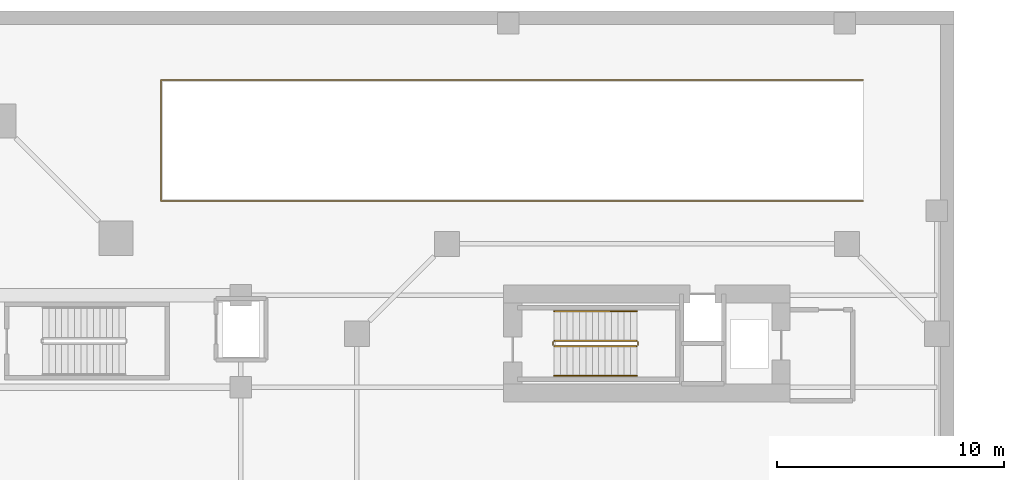
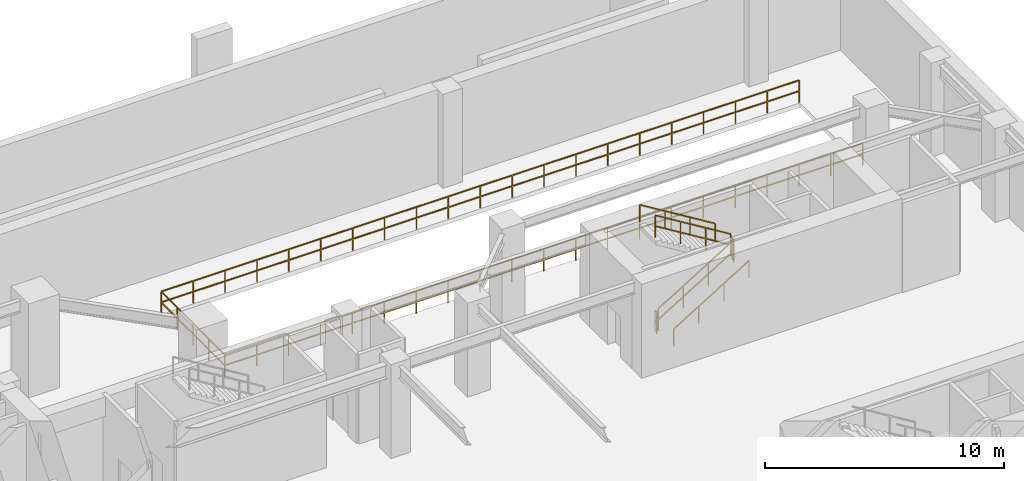
# One storey, part 10 of 10: 7 railings.
"""IFC4 building model written with IfcOpenShell, lengths in metres."""

from ifc_helpers import new_model, si_unit, direction, frame, origin, origin_2d, place, context, subcontext, project, spatial, rectangle, extrude, material, type_object, element, save


model = new_model("IFC4")

# Units and contexts
model_context = context("Model", 3, precision=1e-05, world=origin(), true_north=direction((0.0, 1.0)))
body_context = subcontext(model_context, "Body", "Model", "MODEL_VIEW")
ifc_project = project(units=[si_unit("LENGTHUNIT", "METRE"), si_unit("AREAUNIT", "SQUARE_METRE"), si_unit("VOLUMEUNIT", "CUBIC_METRE"), si_unit("PLANEANGLEUNIT", "RADIAN"), si_unit("MASSUNIT", "GRAM", prefix="KILO"), si_unit("THERMODYNAMICTEMPERATUREUNIT", "KELVIN"), si_unit("POWERUNIT", "WATT")], contexts=[model_context])

# Site, building, storey
site_placement = place(None, origin())
site = spatial("IfcSite", under=ifc_project, at=site_placement, CompositionType="ELEMENT")
building_placement = place(site_placement, origin())
building = spatial("IfcBuilding", under=site, at=building_placement, Name="Qiaomeng Ring Towers", CompositionType="ELEMENT")
storey_placement = place(building_placement, frame((0.0, 0.0, -4.800048828125)))
storey = spatial("IfcBuildingStorey", under=building, at=storey_placement, Name="B1", CompositionType="ELEMENT", Elevation=-4.800048828125)

# Railings
ifc_material_1 = material(Name="Galvanised steel", Category="steel")
railing_type_1 = type_object("IfcRailingType", Name="ARC-RL-GUARD", PredefinedType="GUARDRAIL", material=ifc_material_1)
railing_1_placement = place(storey_placement, frame((56.419921875, 31.25, 0.17138671875)))
element("IfcRailing", 1, at=railing_1_placement, inside=storey, type_object=railing_type_1, Name="B1 ST5 stair guard 1", PredefinedType="GUARDRAIL", context=body_context, shape_type="SweptSolid", body=[
    extrude(rectangle(XDim=0.048095703125, YDim=0.048095703125, at=origin_2d()), frame((0.0, 0.0, 1.1259765625), z_axis=(0.852840387347, 0.0, 0.522171689878), x_axis=(0.0, 1.0, 0.0)), (0.0, 0.0, 1.0), 4.268310546875),
    extrude(rectangle(XDim=0.048095703125, YDim=0.048095703125, at=origin_2d()), frame((0.0, 0.0, 0.574951171875), z_axis=(0.852840387347, 0.0, 0.522171689878), x_axis=(0.0, 1.0, 0.0)), (0.0, 0.0, 1.0), 4.268310546875),
    extrude(rectangle(XDim=0.0419921875, YDim=0.0419921875, at=origin_2d()), origin(), (0.0, 0.0, 1.0), 1.101806640625),
    extrude(rectangle(XDim=0.0419921875, YDim=0.0419921875, at=origin_2d()), frame((1.21337890625, 0.0, 0.742919921875)), (0.0, 0.0, 1.0), 1.101806640625),
    extrude(rectangle(XDim=0.0419921875, YDim=0.0419921875, at=origin_2d()), frame((2.4267578125, 0.0, 1.48583984375)), (0.0, 0.0, 1.0), 1.101806640625),
    extrude(rectangle(XDim=0.0419921875, YDim=0.0419921875, at=origin_2d()), frame((3.64013671875, 0.0, 2.228759765625)), (0.0, 0.0, 1.0), 1.101806640625),
])
railing_2_placement = place(storey_placement, frame((60.110107421875, 31.300048828125, 2.400146484375)))
element("IfcRailing", 2, at=railing_2_placement, inside=storey, type_object=railing_type_1, Name="B1 ST5 stair guard 2", PredefinedType="GUARDRAIL", context=body_context, shape_type="SweptSolid", body=[
    extrude(rectangle(XDim=0.048095703125, YDim=0.048095703125, at=origin_2d()), frame((0.0, 0.0, 1.1259765625), z_axis=(0.0, 1.0, 0.0), x_axis=(-1.0, 0.0, 0.0)), (0.0, 0.0, 1.0), 0.139892578125),
    extrude(rectangle(XDim=0.048095703125, YDim=0.048095703125, at=origin_2d()), frame((0.0, 0.0, 0.574951171875), z_axis=(0.0, 1.0, 0.0), x_axis=(-1.0, 0.0, 0.0)), (0.0, 0.0, 1.0), 0.139892578125),
    extrude(rectangle(XDim=0.0419921875, YDim=0.0419921875, at=origin_2d()), origin(), (0.0, 0.0, 1.0), 1.101806640625),
    extrude(rectangle(XDim=0.0419921875, YDim=0.0419921875, at=origin_2d()), frame((0.0, 0.139892578125, 0.0)), (0.0, 0.0, 1.0), 1.101806640625),
])
railing_3_placement = place(storey_placement, frame((60.06005859375, 31.489990234375, 2.571533203125)))
element("IfcRailing", 3, at=railing_3_placement, inside=storey, type_object=railing_type_1, Name="B1 ST5 stair guard 3", PredefinedType="GUARDRAIL", context=body_context, shape_type="SweptSolid", body=[
    extrude(rectangle(XDim=0.048095703125, YDim=0.048095703125, at=origin_2d()), frame((0.0, 0.0, 1.1259765625), z_axis=(-0.852865859571, 0.0, 0.52213008492), x_axis=(0.0, -1.0, 0.0)), (0.0, 0.0, 1.0), 4.26806640625),
    extrude(rectangle(XDim=0.048095703125, YDim=0.048095703125, at=origin_2d()), frame((0.0, 0.0, 0.574951171875), z_axis=(-0.852865859571, 0.0, 0.52213008492), x_axis=(0.0, -1.0, 0.0)), (0.0, 0.0, 1.0), 4.26806640625),
    extrude(rectangle(XDim=0.0419921875, YDim=0.0419921875, at=origin_2d()), origin(), (0.0, 0.0, 1.0), 1.101806640625),
    extrude(rectangle(XDim=0.0419921875, YDim=0.0419921875, at=origin_2d()), frame((-1.21337890625, 0.0, 0.742919921875)), (0.0, 0.0, 1.0), 1.101806640625),
    extrude(rectangle(XDim=0.0419921875, YDim=0.0419921875, at=origin_2d()), frame((-2.4267578125, 0.0, 1.485595703125)), (0.0, 0.0, 1.0), 1.101806640625),
    extrude(rectangle(XDim=0.0419921875, YDim=0.0419921875, at=origin_2d()), frame((-3.64013671875, 0.0, 2.228515625)), (0.0, 0.0, 1.0), 1.101806640625),
])
railing_4_placement = place(storey_placement, frame((56.3701171875, 31.300048828125, 0.0)))
element("IfcRailing", 4, at=railing_4_placement, inside=storey, type_object=railing_type_1, Name="B1 ST5 stair guard 4", PredefinedType="GUARDRAIL", context=body_context, shape_type="SweptSolid", body=[
    extrude(rectangle(XDim=0.048095703125, YDim=0.048095703125, at=origin_2d()), frame((0.0, 0.0, 1.1259765625), z_axis=(0.0, 1.0, 0.0), x_axis=(-1.0, 0.0, 0.0)), (0.0, 0.0, 1.0), 0.139892578125),
    extrude(rectangle(XDim=0.048095703125, YDim=0.048095703125, at=origin_2d()), frame((0.0, 0.0, 0.574951171875), z_axis=(0.0, 1.0, 0.0), x_axis=(-1.0, 0.0, 0.0)), (0.0, 0.0, 1.0), 0.139892578125),
    extrude(rectangle(XDim=0.0419921875, YDim=0.0419921875, at=origin_2d()), origin(), (0.0, 0.0, 1.0), 1.101806640625),
    extrude(rectangle(XDim=0.0419921875, YDim=0.0419921875, at=origin_2d()), frame((0.0, 0.139892578125, 0.0)), (0.0, 0.0, 1.0), 1.101806640625),
])
railing_5_placement = place(storey_placement, frame((70.0, 37.639892578125, 0.0)))
element("IfcRailing", 5, at=railing_5_placement, inside=storey, type_object=railing_type_1, Name="B1 Vehicle Ramp R2 Well Guard", PredefinedType="GUARDRAIL", context=body_context, shape_type="SweptSolid", body=[
    extrude(rectangle(XDim=0.048095703125, YDim=0.048095703125, at=origin_2d()), frame((0.0, 0.0, 1.1259765625), z_axis=(-1.0, 0.0, 0.0), x_axis=(0.0, -1.0, 0.0)), (0.0, 0.0, 1.0), 30.860107421875),
    extrude(rectangle(XDim=0.048095703125, YDim=0.048095703125, at=origin_2d()), frame((0.0, 0.0, 0.574951171875), z_axis=(-1.0, 0.0, 0.0), x_axis=(0.0, -1.0, 0.0)), (0.0, 0.0, 1.0), 30.860107421875),
    extrude(rectangle(XDim=0.048095703125, YDim=0.048095703125, at=origin_2d()), frame((-30.860107421875, 0.0, 1.1259765625), z_axis=(0.0, 1.0, 0.0), x_axis=(-1.0, 0.0, 0.0)), (0.0, 0.0, 1.0), 5.320068359375),
    extrude(rectangle(XDim=0.048095703125, YDim=0.048095703125, at=origin_2d()), frame((-30.860107421875, 0.0, 0.574951171875), z_axis=(0.0, 1.0, 0.0), x_axis=(-1.0, 0.0, 0.0)), (0.0, 0.0, 1.0), 5.320068359375),
    extrude(rectangle(XDim=0.048095703125, YDim=0.048095703125, at=origin_2d()), frame((-30.860107421875, 5.320068359375, 1.1259765625), z_axis=(1.0, 0.0, 0.0), x_axis=(0.0, 1.0, 0.0)), (0.0, 0.0, 1.0), 30.860107421875),
    extrude(rectangle(XDim=0.048095703125, YDim=0.048095703125, at=origin_2d()), frame((-30.860107421875, 5.320068359375, 0.574951171875), z_axis=(1.0, 0.0, 0.0), x_axis=(0.0, 1.0, 0.0)), (0.0, 0.0, 1.0), 30.860107421875),
    extrude(rectangle(XDim=0.0419921875, YDim=0.0419921875, at=origin_2d()), origin(), (0.0, 0.0, 1.0), 1.101806640625),
    extrude(rectangle(XDim=0.0419921875, YDim=0.0419921875, at=origin_2d()), frame((-1.54296875, 0.0, 0.0)), (0.0, 0.0, 1.0), 1.101806640625),
    extrude(rectangle(XDim=0.0419921875, YDim=0.0419921875, at=origin_2d()), frame((-3.0859375, 0.0, 0.0)), (0.0, 0.0, 1.0), 1.101806640625),
    extrude(rectangle(XDim=0.0419921875, YDim=0.0419921875, at=origin_2d()), frame((-4.62890625, 0.0, 0.0)), (0.0, 0.0, 1.0), 1.101806640625),
    extrude(rectangle(XDim=0.0419921875, YDim=0.0419921875, at=origin_2d()), frame((-6.172119140625, 0.0, 0.0)), (0.0, 0.0, 1.0), 1.101806640625),
    extrude(rectangle(XDim=0.0419921875, YDim=0.0419921875, at=origin_2d()), frame((-7.715087890625, 0.0, 0.0)), (0.0, 0.0, 1.0), 1.101806640625),
    extrude(rectangle(XDim=0.0419921875, YDim=0.0419921875, at=origin_2d()), frame((-9.258056640625, 0.0, 0.0)), (0.0, 0.0, 1.0), 1.101806640625),
    extrude(rectangle(XDim=0.0419921875, YDim=0.0419921875, at=origin_2d()), frame((-10.801025390625, 0.0, 0.0)), (0.0, 0.0, 1.0), 1.101806640625),
    extrude(rectangle(XDim=0.0419921875, YDim=0.0419921875, at=origin_2d()), frame((-12.343994140625, 0.0, 0.0)), (0.0, 0.0, 1.0), 1.101806640625),
    extrude(rectangle(XDim=0.0419921875, YDim=0.0419921875, at=origin_2d()), frame((-13.886962890625, 0.0, 0.0)), (0.0, 0.0, 1.0), 1.101806640625),
    extrude(rectangle(XDim=0.0419921875, YDim=0.0419921875, at=origin_2d()), frame((-15.43017578125, 0.0, 0.0)), (0.0, 0.0, 1.0), 1.101806640625),
    extrude(rectangle(XDim=0.0419921875, YDim=0.0419921875, at=origin_2d()), frame((-16.97314453125, 0.0, 0.0)), (0.0, 0.0, 1.0), 1.101806640625),
    extrude(rectangle(XDim=0.0419921875, YDim=0.0419921875, at=origin_2d()), frame((-18.51611328125, 0.0, 0.0)), (0.0, 0.0, 1.0), 1.101806640625),
    extrude(rectangle(XDim=0.0419921875, YDim=0.0419921875, at=origin_2d()), frame((-20.05908203125, 0.0, 0.0)), (0.0, 0.0, 1.0), 1.101806640625),
    extrude(rectangle(XDim=0.0419921875, YDim=0.0419921875, at=origin_2d()), frame((-21.60205078125, 0.0, 0.0)), (0.0, 0.0, 1.0), 1.101806640625),
    extrude(rectangle(XDim=0.0419921875, YDim=0.0419921875, at=origin_2d()), frame((-23.14501953125, 0.0, 0.0)), (0.0, 0.0, 1.0), 1.101806640625),
    extrude(rectangle(XDim=0.0419921875, YDim=0.0419921875, at=origin_2d()), frame((-24.68798828125, 0.0, 0.0)), (0.0, 0.0, 1.0), 1.101806640625),
    extrude(rectangle(XDim=0.0419921875, YDim=0.0419921875, at=origin_2d()), frame((-26.231201171875, 0.0, 0.0)), (0.0, 0.0, 1.0), 1.101806640625),
    extrude(rectangle(XDim=0.0419921875, YDim=0.0419921875, at=origin_2d()), frame((-27.774169921875, 0.0, 0.0)), (0.0, 0.0, 1.0), 1.101806640625),
    extrude(rectangle(XDim=0.0419921875, YDim=0.0419921875, at=origin_2d()), frame((-29.317138671875, 0.0, 0.0)), (0.0, 0.0, 1.0), 1.101806640625),
    extrude(rectangle(XDim=0.0419921875, YDim=0.0419921875, at=origin_2d()), frame((-30.860107421875, 0.0, 0.0)), (0.0, 0.0, 1.0), 1.101806640625),
    extrude(rectangle(XDim=0.0419921875, YDim=0.0419921875, at=origin_2d()), frame((-30.860107421875, 1.330078125, 0.0)), (0.0, 0.0, 1.0), 1.101806640625),
    extrude(rectangle(XDim=0.0419921875, YDim=0.0419921875, at=origin_2d()), frame((-30.860107421875, 2.66015625, 0.0)), (0.0, 0.0, 1.0), 1.101806640625),
    extrude(rectangle(XDim=0.0419921875, YDim=0.0419921875, at=origin_2d()), frame((-30.860107421875, 3.989990234375, 0.0)), (0.0, 0.0, 1.0), 1.101806640625),
    extrude(rectangle(XDim=0.0419921875, YDim=0.0419921875, at=origin_2d()), frame((-30.860107421875, 5.320068359375, 0.0)), (0.0, 0.0, 1.0), 1.101806640625),
    extrude(rectangle(XDim=0.0419921875, YDim=0.0419921875, at=origin_2d()), frame((-29.317138671875, 5.320068359375, 0.0)), (0.0, 0.0, 1.0), 1.101806640625),
    extrude(rectangle(XDim=0.0419921875, YDim=0.0419921875, at=origin_2d()), frame((-27.774169921875, 5.320068359375, 0.0)), (0.0, 0.0, 1.0), 1.101806640625),
    extrude(rectangle(XDim=0.0419921875, YDim=0.0419921875, at=origin_2d()), frame((-26.231201171875, 5.320068359375, 0.0)), (0.0, 0.0, 1.0), 1.101806640625),
    extrude(rectangle(XDim=0.0419921875, YDim=0.0419921875, at=origin_2d()), frame((-24.68798828125, 5.320068359375, 0.0)), (0.0, 0.0, 1.0), 1.101806640625),
    extrude(rectangle(XDim=0.0419921875, YDim=0.0419921875, at=origin_2d()), frame((-23.14501953125, 5.320068359375, 0.0)), (0.0, 0.0, 1.0), 1.101806640625),
    extrude(rectangle(XDim=0.0419921875, YDim=0.0419921875, at=origin_2d()), frame((-21.60205078125, 5.320068359375, 0.0)), (0.0, 0.0, 1.0), 1.101806640625),
    extrude(rectangle(XDim=0.0419921875, YDim=0.0419921875, at=origin_2d()), frame((-20.05908203125, 5.320068359375, 0.0)), (0.0, 0.0, 1.0), 1.101806640625),
    extrude(rectangle(XDim=0.0419921875, YDim=0.0419921875, at=origin_2d()), frame((-18.51611328125, 5.320068359375, 0.0)), (0.0, 0.0, 1.0), 1.101806640625),
    extrude(rectangle(XDim=0.0419921875, YDim=0.0419921875, at=origin_2d()), frame((-16.97314453125, 5.320068359375, 0.0)), (0.0, 0.0, 1.0), 1.101806640625),
    extrude(rectangle(XDim=0.0419921875, YDim=0.0419921875, at=origin_2d()), frame((-15.43017578125, 5.320068359375, 0.0)), (0.0, 0.0, 1.0), 1.101806640625),
    extrude(rectangle(XDim=0.0419921875, YDim=0.0419921875, at=origin_2d()), frame((-13.886962890625, 5.320068359375, 0.0)), (0.0, 0.0, 1.0), 1.101806640625),
    extrude(rectangle(XDim=0.0419921875, YDim=0.0419921875, at=origin_2d()), frame((-12.343994140625, 5.320068359375, 0.0)), (0.0, 0.0, 1.0), 1.101806640625),
    extrude(rectangle(XDim=0.0419921875, YDim=0.0419921875, at=origin_2d()), frame((-10.801025390625, 5.320068359375, 0.0)), (0.0, 0.0, 1.0), 1.101806640625),
    extrude(rectangle(XDim=0.0419921875, YDim=0.0419921875, at=origin_2d()), frame((-9.258056640625, 5.320068359375, 0.0)), (0.0, 0.0, 1.0), 1.101806640625),
    extrude(rectangle(XDim=0.0419921875, YDim=0.0419921875, at=origin_2d()), frame((-7.715087890625, 5.320068359375, 0.0)), (0.0, 0.0, 1.0), 1.101806640625),
    extrude(rectangle(XDim=0.0419921875, YDim=0.0419921875, at=origin_2d()), frame((-6.172119140625, 5.320068359375, 0.0)), (0.0, 0.0, 1.0), 1.101806640625),
    extrude(rectangle(XDim=0.0419921875, YDim=0.0419921875, at=origin_2d()), frame((-4.62890625, 5.320068359375, 0.0)), (0.0, 0.0, 1.0), 1.101806640625),
    extrude(rectangle(XDim=0.0419921875, YDim=0.0419921875, at=origin_2d()), frame((-3.0859375, 5.320068359375, 0.0)), (0.0, 0.0, 1.0), 1.101806640625),
    extrude(rectangle(XDim=0.0419921875, YDim=0.0419921875, at=origin_2d()), frame((-1.54296875, 5.320068359375, 0.0)), (0.0, 0.0, 1.0), 1.101806640625),
    extrude(rectangle(XDim=0.0419921875, YDim=0.0419921875, at=origin_2d()), frame((0.0, 5.320068359375, 0.0)), (0.0, 0.0, 1.0), 1.101806640625),
])
ifc_material_2 = material(Name="Stainless steel 316", Category="steel")
railing_type_2 = type_object("IfcRailingType", Name="ARC-RL-HAND", PredefinedType="HANDRAIL", material=ifc_material_2)
railing_6_placement = place(storey_placement, frame((56.419921875, 29.949951171875, 0.17138671875)))
element("IfcRailing", 6, at=railing_6_placement, inside=storey, type_object=railing_type_2, Name="B1 ST5 stair handrail 1", PredefinedType="HANDRAIL", context=body_context, shape_type="SweptSolid", body=[
    extrude(rectangle(XDim=0.048095703125, YDim=0.048095703125, at=origin_2d()), frame((0.0, 0.0, 0.8759765625), z_axis=(0.852840387347, 0.0, 0.522171689878), x_axis=(0.0, 1.0, 0.0)), (0.0, 0.0, 1.0), 4.268310546875),
    extrude(rectangle(XDim=0.0419921875, YDim=0.0419921875, at=origin_2d()), origin(), (0.0, 0.0, 1.0), 0.851806640625),
    extrude(rectangle(XDim=0.0419921875, YDim=0.0419921875, at=origin_2d()), frame((1.21337890625, 0.0, 0.742919921875)), (0.0, 0.0, 1.0), 0.851806640625),
    extrude(rectangle(XDim=0.0419921875, YDim=0.0419921875, at=origin_2d()), frame((2.4267578125, 0.0, 1.48583984375)), (0.0, 0.0, 1.0), 0.851806640625),
    extrude(rectangle(XDim=0.0419921875, YDim=0.0419921875, at=origin_2d()), frame((3.64013671875, 0.0, 2.228759765625)), (0.0, 0.0, 1.0), 0.851806640625),
])
railing_7_placement = place(storey_placement, frame((60.06005859375, 32.7900390625, 2.571533203125)))
element("IfcRailing", 7, at=railing_7_placement, inside=storey, type_object=railing_type_2, Name="B1 ST5 stair handrail 2", PredefinedType="HANDRAIL", context=body_context, shape_type="SweptSolid", body=[
    extrude(rectangle(XDim=0.048095703125, YDim=0.048095703125, at=origin_2d()), frame((0.0, 0.0, 0.8759765625), z_axis=(-0.852865859571, 0.0, 0.52213008492), x_axis=(0.0, -1.0, 0.0)), (0.0, 0.0, 1.0), 4.26806640625),
    extrude(rectangle(XDim=0.0419921875, YDim=0.0419921875, at=origin_2d()), origin(), (0.0, 0.0, 1.0), 0.851806640625),
    extrude(rectangle(XDim=0.0419921875, YDim=0.0419921875, at=origin_2d()), frame((-1.21337890625, 0.0, 0.742919921875)), (0.0, 0.0, 1.0), 0.851806640625),
    extrude(rectangle(XDim=0.0419921875, YDim=0.0419921875, at=origin_2d()), frame((-2.4267578125, 0.0, 1.485595703125)), (0.0, 0.0, 1.0), 0.851806640625),
    extrude(rectangle(XDim=0.0419921875, YDim=0.0419921875, at=origin_2d()), frame((-3.64013671875, 0.0, 2.228515625)), (0.0, 0.0, 1.0), 0.851806640625),
])

save(model, "model.ifc")
